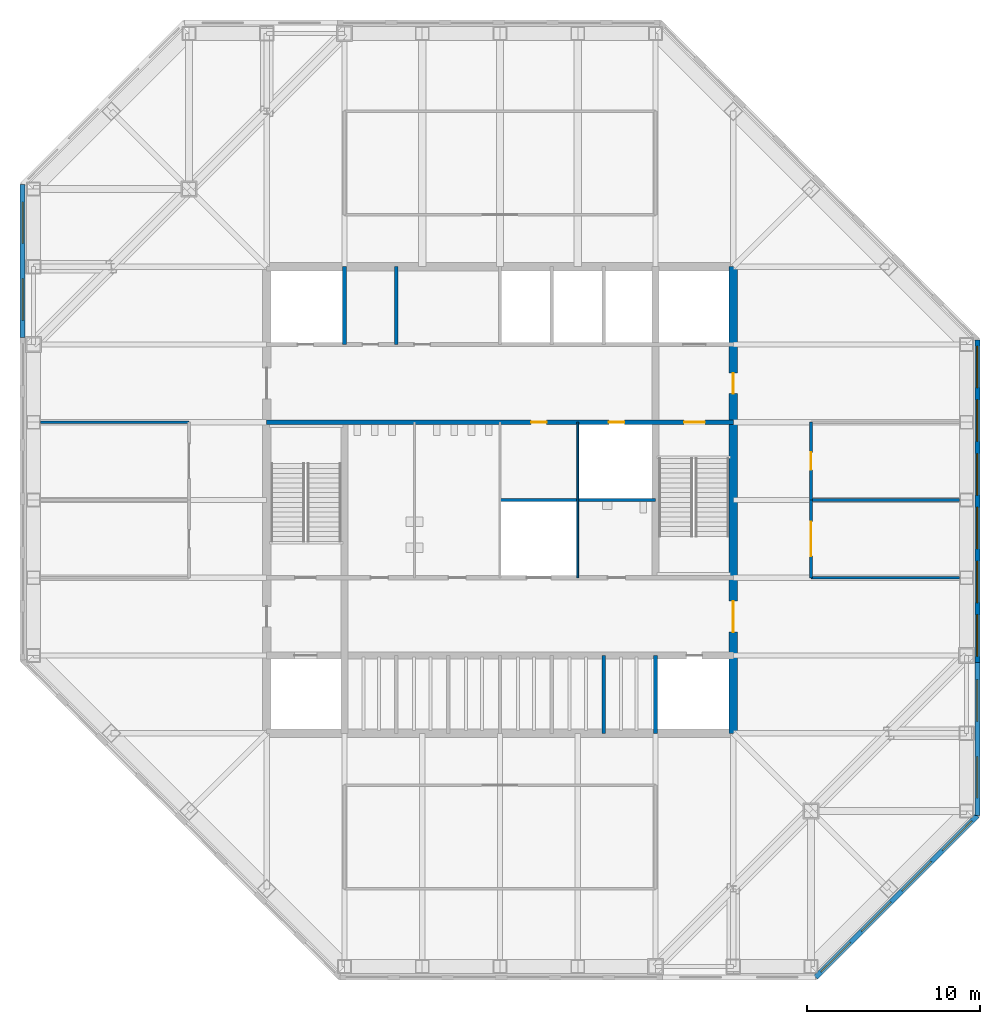
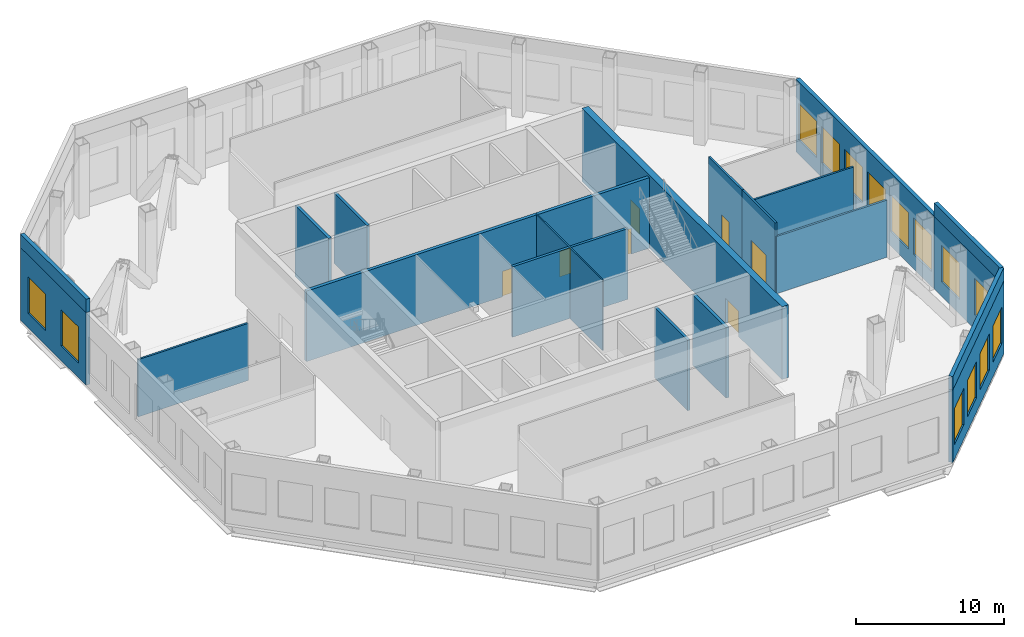
# One storey, part 6 of 10: 20 walls, 14 windows, 7 doors, 21 openings.
"""IFC4 building model written with IfcOpenShell, lengths in metres."""

import ifcopenshell
import ifcopenshell.guid

model = None  # the IFC model being written
_history = None  # IfcOwnerHistory: only IFC2X3 demands one
_inside = {}  # id of a spatial element -> (the spatial element, [elements in it])
_under = {}  # id of a project, library or spatial element -> (it, [spatial elements below it])
_declared = {}  # id of a project -> (the project, [libraries it declares])
_typed = {}  # id of a type object -> (the type object, [elements of that type])
_made_of = {}  # id of a material, layer set ... -> (it, [elements and type objects made of it])


def new_model(schema):
    """Start an empty IFC model of exactly this schema.

    Asked for "IFC4X3", IfcOpenShell would pick the latest addendum, in which some entities
    have other attributes; the version numbers below select the first issue.
    IFC2X3 requires an IfcOwnerHistory on every rooted entity: one is made here for all.
    """
    global model, _history
    if schema == "IFC4X3":
        model = ifcopenshell.file(schema_version=(4, 3, 0, 0))
    else:
        model = ifcopenshell.file(schema=schema)
    _inside.clear()
    _under.clear()
    _declared.clear()
    _typed.clear()
    _made_of.clear()
    _history = None
    if model.schema == "IFC2X3":
        org = make("IfcOrganization", Name="unknown")
        user = make(
            "IfcPersonAndOrganization",
            ThePerson=make("IfcPerson", FamilyName="unknown"),
            TheOrganization=org,
        )
        app = make(
            "IfcApplication",
            ApplicationDeveloper=org,
            Version="unknown",
            ApplicationFullName="unknown",
            ApplicationIdentifier="unknown",
        )
        _history = make(
            "IfcOwnerHistory",
            OwningUser=user,
            OwningApplication=app,
            ChangeAction="ADDED",
            CreationDate=0,
        )
    return model


def make(cls, **values):
    """One entity of the class cls with the attributes given. An attribute that is None is left unset."""
    return model.create_entity(
        cls, **{name: value for name, value in values.items() if value is not None}
    )


def rooted(cls, **values):
    """An entity with a GlobalId (a new one), such as an element, a storey or a relation."""
    return make(cls, GlobalId=ifcopenshell.guid.new(), OwnerHistory=_history, **values)


def si_unit(unit_type, name, prefix=None):
    """IfcSIUnit, for example si_unit("LENGTHUNIT", "METRE", prefix="MILLI")."""
    return make("IfcSIUnit", UnitType=unit_type, Prefix=prefix, Name=name)


def assignment(units):
    """IfcUnitAssignment: the units of a project."""
    return None if units is None else make("IfcUnitAssignment", Units=units)


def point(xyz):
    """IfcCartesianPoint."""
    return None if xyz is None else make("IfcCartesianPoint", Coordinates=xyz)


def direction(xyz):
    """IfcDirection."""
    return None if xyz is None else make("IfcDirection", DirectionRatios=xyz)


def frame(location, z_axis=None, x_axis=None):
    """IfcAxis2Placement3D, a coordinate frame: its origin and axes. An axis left out is left unset."""
    return make(
        "IfcAxis2Placement3D",
        Location=point(location),
        Axis=direction(z_axis),
        RefDirection=direction(x_axis),
    )


def frame_2d(location, x_axis=None):
    """IfcAxis2Placement2D, a coordinate frame in the plane: its origin and x axis."""
    return make(
        "IfcAxis2Placement2D", Location=point(location), RefDirection=direction(x_axis)
    )


def origin():
    """The frame at (0, 0, 0) with its axes left unset."""
    return frame((0.0, 0.0, 0.0))


def place(relative_to, where):
    """IfcLocalPlacement: puts the frame where relative to a parent placement (None: the world)."""
    return make(
        "IfcLocalPlacement", PlacementRelTo=relative_to, RelativePlacement=where
    )


def context(
    kind, dimensions, precision=None, world=None, true_north=None, identifier=None
):
    """IfcGeometricRepresentationContext, for example the 3D "Model" context."""
    return make(
        "IfcGeometricRepresentationContext",
        ContextIdentifier=identifier,
        ContextType=kind,
        CoordinateSpaceDimension=dimensions,
        Precision=precision,
        WorldCoordinateSystem=world,
        TrueNorth=true_north,
    )


def subcontext(parent, identifier, kind, view, scale=None):
    """IfcGeometricRepresentationSubContext, for example "Body" below "Model"."""
    return make(
        "IfcGeometricRepresentationSubContext",
        ContextIdentifier=identifier,
        ContextType=kind,
        ParentContext=parent,
        TargetScale=scale,
        TargetView=view,
    )


def project(units=None, contexts=None):
    """IfcProject with its units and contexts."""
    return rooted(
        "IfcProject",
        Name="project",
        RepresentationContexts=contexts,
        UnitsInContext=assignment(units),
    )


def spatial(cls, under=None, at=None, **own):
    """A site, building, storey or space (cls), placed at a placement, below another one or the project."""
    s = rooted(cls, ObjectPlacement=at, **own)
    if under is not None:
        _under.setdefault(under.id(), (under, []))[1].append(s)
    return s


def profile(cls, at=None, kind="AREA", **sizes):
    """A parametric profile (cls). Its sizes go by their IFC names, for example OverallWidth=200.0."""
    return make(cls, ProfileType=kind, Position=at, **sizes)


def rectangle(**sizes):
    """IfcRectangleProfileDef."""
    return profile("IfcRectangleProfileDef", **sizes)


def extrude(swept, where, along, depth):
    """IfcExtrudedAreaSolid: the profile swept, set in the frame where, extruded along a direction by depth."""
    return make(
        "IfcExtrudedAreaSolid",
        SweptArea=swept,
        Position=where,
        ExtrudedDirection=direction(along),
        Depth=depth,
    )


def shape(context_of_items, identifier, shape_type, items):
    """IfcShapeRepresentation: the items that make up one representation, for example the "Body"."""
    return make(
        "IfcShapeRepresentation",
        ContextOfItems=context_of_items,
        RepresentationIdentifier=identifier,
        RepresentationType=shape_type,
        Items=items,
    )


def material(Name=None, Category=None):
    """IfcMaterial."""
    return make("IfcMaterial", Name=Name, Category=Category)


def layer(
    of_material, thickness, ventilated=None, Name=None, Category=None, Priority=None
):
    """IfcMaterialLayer: one layer of a wall or slab, of a material (None: an air gap)."""
    return make(
        "IfcMaterialLayer",
        Material=of_material,
        LayerThickness=thickness,
        IsVentilated=ventilated,
        Name=Name,
        Category=Category,
        Priority=Priority,
    )


def layer_set(layers, Name=None):
    """IfcMaterialLayerSet."""
    return make("IfcMaterialLayerSet", MaterialLayers=layers, LayerSetName=Name)


def made_of(thing, what):
    """Note that an element or type object is made of a material, layer set ...; save() writes the relation."""
    if what is not None:
        _made_of.setdefault(what.id(), (what, []))[1].append(thing)
    return thing


def type_object(cls, material=None, **own):
    """A type object (cls), such as IfcWallType, which elements share."""
    return made_of(rooted(cls, **own), material)


def element(
    cls,
    number,
    at=None,
    inside=None,
    cuts=None,
    type_object=None,
    material=None,
    context=None,
    identifier="Body",
    shape_type=None,
    held_by="IfcProductDefinitionShape",
    body=None,
    shapes=None,
    **own,
):
    """One element of the class cls, such as IfcWall. Its Tag is "e" and its number.

    at: its placement. inside: the storey or other place that contains it. cuts: it is an
    opening in that element (IfcRelVoidsElement). A single representation is given by context,
    identifier, shape_type and body (its items); several are given by shapes. held_by: the class
    of the entity that holds the representations. save() writes the other relations.
    """
    e = rooted(cls, Tag="e%d" % number, ObjectPlacement=at, **own)
    if body is not None:
        shapes = [shape(context, identifier, shape_type, body)]
    if shapes is not None:
        e.Representation = make(held_by, Representations=shapes)
    if inside is not None:
        _inside.setdefault(inside.id(), (inside, []))[1].append(e)
    if cuts is not None:
        rooted(
            "IfcRelVoidsElement", RelatingBuildingElement=cuts, RelatedOpeningElement=e
        )
    if type_object is not None:
        _typed.setdefault(type_object.id(), (type_object, []))[1].append(e)
    return made_of(e, material)


def fill(opening, filler):
    """IfcRelFillsElement: the door or window that sits in an opening."""
    return rooted(
        "IfcRelFillsElement",
        RelatingOpeningElement=opening,
        RelatedBuildingElement=filler,
    )


def aggregate(whole, parts):
    """IfcRelAggregates: a whole, such as a stair, and the parts it consists of."""
    return rooted("IfcRelAggregates", RelatingObject=whole, RelatedObjects=parts)


def save(model, path):
    """Write the relations noted so far, then the file.

    IfcRelAggregates (storeys below a building ...), IfcRelContainedInSpatialStructure (elements
    in a storey), IfcRelDefinesByType, IfcRelAssociatesMaterial and IfcRelDeclares: one each for
    every whole, place, type object, material and project.
    """
    for whole, parts in _under.values():
        aggregate(whole, parts)
    for where, things in _inside.values():
        rooted(
            "IfcRelContainedInSpatialStructure",
            RelatedElements=things,
            RelatingStructure=where,
        )
    for kind, things in _typed.values():
        rooted("IfcRelDefinesByType", RelatedObjects=things, RelatingType=kind)
    for what, things in _made_of.values():
        rooted("IfcRelAssociatesMaterial", RelatedObjects=things, RelatingMaterial=what)
    for by, libraries in _declared.values():
        rooted("IfcRelDeclares", RelatingContext=by, RelatedDefinitions=libraries)
    model.write(path)


model = new_model("IFC4")

# Units and contexts
model_context = context("Model", 3, precision=1e-05, world=origin(), true_north=direction((0.0, 1.0)))
body_context = subcontext(model_context, "Body", "Model", "MODEL_VIEW")
ifc_project = project(units=[si_unit("LENGTHUNIT", "METRE"), si_unit("AREAUNIT", "SQUARE_METRE"), si_unit("VOLUMEUNIT", "CUBIC_METRE"), si_unit("PLANEANGLEUNIT", "RADIAN"), si_unit("MASSUNIT", "GRAM", prefix="KILO")], contexts=[model_context])

# Site, building, storey
site_placement = place(None, origin())
site = spatial("IfcSite", under=ifc_project, at=site_placement, CompositionType="ELEMENT")
building_placement = place(site_placement, origin())
building = spatial("IfcBuilding", under=site, at=building_placement, Name="Corais Broadcast Tower", CompositionType="ELEMENT")
storey_placement = place(building_placement, frame((0.0, 0.0, 199.60009765625)))
storey = spatial("IfcBuildingStorey", under=building, at=storey_placement, Name="L46", CompositionType="ELEMENT", Elevation=199.60009765625)

# Walls
ifc_material_1 = material(Name="Concrete blockwork class A, grouted, two-hour", Category="masonry")
ifc_layer_1 = layer(ifc_material_1, 0.25)
ifc_layer_set_1 = layer_set([ifc_layer_1], Name="Concrete blockwork class A, grouted, two-hour")
wall_type_1 = type_object("IfcWallType", Name="Core lobby wall 250", PredefinedType="SOLIDWALL", material=ifc_layer_set_1)
for number, where, z_axis, x_axis, name in (
    (1, (18.0, 36.0, 0.0), (0.0, 0.0, 1.0), (0.0, 1.0, 0.0), "CL2 core shaft wall X18B L46"),
    (2, (36.0, 13.5, 0.0), (0.0, 0.0, 1.0), (0.0, 1.0, 0.0), "CL2 core shaft wall X36A L46"),
):
    element("IfcWall", number, at=place(storey_placement, frame(where, z_axis=z_axis, x_axis=x_axis)), inside=storey, type_object=wall_type_1, Name=name, PredefinedType="SOLIDWALL", context=body_context, shape_type="SweptSolid", body=[
        extrude(rectangle(XDim=4.5, YDim=0.25, at=frame_2d((2.25, 0.0))), origin(), (0.0, 0.0, 1.0), 5.81982421875),
    ])

# Wall, openings, doors
wall_1_placement = place(storey_placement, frame((13.5, 31.5, 0.0), z_axis=(0.0, 0.0, 1.0), x_axis=(1.0, 0.0, 0.0)))
wall_1 = element("IfcWall", 3, at=wall_1_placement, inside=storey, type_object=wall_type_1, Name="CL2 core lobby wall Y315 L46", PredefinedType="SOLIDWALL", context=body_context, shape_type="SweptSolid", body=[
    extrude(rectangle(XDim=27.0, YDim=0.25, at=frame_2d((13.5, 0.0))), origin(), (0.0, 0.0, 1.0), 5.81982421875),
])
opening_1_placement = place(wall_1_placement, frame((24.14990234375, 0.0, 0.0)))
opening_1 = element("IfcOpeningElement", 4, at=opening_1_placement, cuts=wall_1, Name="Opening FD1", PredefinedType="OPENING", context=body_context, shape_type="SweptSolid", body=[
    extrude(rectangle(XDim=1.199951171875, YDim=2.10009765625, at=frame_2d((0.60009765625, 1.050048828125))), frame((0.0, 0.135009765625, 0.0), z_axis=(0.0, -1.0, 0.0), x_axis=(1.0, 0.0, 0.0)), (0.0, 0.0, 1.0), 0.27001953125),
])
opening_2_placement = place(wall_1_placement, frame((15.300048828125, 0.0, 0.0)))
opening_2 = element("IfcOpeningElement", 5, at=opening_2_placement, cuts=wall_1, Name="Opening RD1", PredefinedType="OPENING", context=body_context, shape_type="SweptSolid", body=[
    extrude(rectangle(XDim=0.89990234375, YDim=2.10009765625, at=frame_2d((0.449951171875, 1.050048828125))), frame((0.0, 0.135009765625, 0.0), z_axis=(0.0, -1.0, 0.0), x_axis=(1.0, 0.0, 0.0)), (0.0, 0.0, 1.0), 0.27001953125),
])
opening_3_placement = place(wall_1_placement, frame((19.800048828125, 0.0, 0.0)))
opening_3 = element("IfcOpeningElement", 6, at=opening_3_placement, cuts=wall_1, Name="Opening RD1", PredefinedType="OPENING", context=body_context, shape_type="SweptSolid", body=[
    extrude(rectangle(XDim=0.89990234375, YDim=2.10009765625, at=frame_2d((0.449951171875, 1.050048828125))), frame((0.0, 0.135009765625, 0.0), z_axis=(0.0, -1.0, 0.0), x_axis=(1.0, 0.0, 0.0)), (0.0, 0.0, 1.0), 0.27001953125),
])
ifc_material_2 = material(Name="Steel fire door", Category="steel")
door_type_1 = type_object("IfcDoorType", Name="Fire door 1200x2100", OperationType="SINGLE_SWING_LEFT", PredefinedType="DOOR", material=ifc_material_2)
door_1_placement = place(opening_1_placement, origin())
door_1 = element("IfcDoor", 7, at=door_1_placement, inside=storey, type_object=door_type_1, Name="FD1 stair B door L46", OperationType="SINGLE_SWING_RIGHT", OverallHeight=2.10009765625, OverallWidth=1.199951171875, PredefinedType="DOOR", context=body_context, shape_type="SweptSolid", body=[
    extrude(rectangle(XDim=1.199951171875, YDim=2.10009765625, at=frame_2d((0.60009765625, 1.050048828125))), frame((0.0, 0.02490234375, 0.0), z_axis=(0.0, -1.0, 0.0), x_axis=(1.0, 0.0, 0.0)), (0.0, 0.0, 1.0), 0.050048828125),
])
fill(opening_1, door_1)
ifc_material_3 = material(Name="Steel fire door", Category="steel")
door_type_2 = type_object("IfcDoorType", Name="Riser door 900x2100", OperationType="SINGLE_SWING_LEFT", PredefinedType="DOOR", material=ifc_material_3)
door_2_placement = place(opening_2_placement, origin())
door_2 = element("IfcDoor", 8, at=door_2_placement, inside=storey, type_object=door_type_2, Name="RD1 tea point door L46", OperationType="SINGLE_SWING_RIGHT", OverallHeight=2.10009765625, OverallWidth=0.89990234375, PredefinedType="DOOR", context=body_context, shape_type="SweptSolid", body=[
    extrude(rectangle(XDim=0.89990234375, YDim=2.10009765625, at=frame_2d((0.449951171875, 1.050048828125))), frame((0.0, 0.02490234375, 0.0), z_axis=(0.0, -1.0, 0.0), x_axis=(1.0, 0.0, 0.0)), (0.0, 0.0, 1.0), 0.050048828125),
])
fill(opening_2, door_2)
door_3_placement = place(opening_3_placement, origin())
door_3 = element("IfcDoor", 9, at=door_3_placement, inside=storey, type_object=door_type_2, Name="RD1 riser door L46", OperationType="SINGLE_SWING_RIGHT", OverallHeight=2.10009765625, OverallWidth=0.89990234375, PredefinedType="DOOR", context=body_context, shape_type="SweptSolid", body=[
    extrude(rectangle(XDim=0.89990234375, YDim=2.10009765625, at=frame_2d((0.449951171875, 1.050048828125))), frame((0.0, 0.02490234375, 0.0), z_axis=(0.0, -1.0, 0.0), x_axis=(1.0, 0.0, 0.0)), (0.0, 0.0, 1.0), 0.050048828125),
])
fill(opening_3, door_3)

ifc_material_4 = material(Name="Concrete C50/60", Category="concrete")
ifc_layer_2 = layer(ifc_material_4, 0.5)
ifc_layer_set_2 = layer_set([ifc_layer_2], Name="Concrete C50/60")
wall_type_2 = type_object("IfcWallType", Name="Core wall 500", PredefinedType="SHEAR", material=ifc_layer_set_2)
wall_2_placement = place(storey_placement, frame((40.5, 13.5, 0.0), z_axis=(0.0, 0.0, 1.0), x_axis=(0.0, 1.0, 0.0)))
wall_2 = element("IfcWall", 10, at=wall_2_placement, inside=storey, type_object=wall_type_2, Name="CR500 core wall E L46", PredefinedType="SHEAR", context=body_context, shape_type="SweptSolid", body=[
    extrude(rectangle(XDim=27.0, YDim=0.5, at=frame_2d((13.5, 0.0))), origin(), (0.0, 0.0, 1.0), 6.0),
])
opening_4_placement = place(wall_2_placement, frame((5.85009765625, 0.0, 0.0)))
opening_4 = element("IfcOpeningElement", 11, at=opening_4_placement, cuts=wall_2, Name="Opening FD2", PredefinedType="OPENING", context=body_context, shape_type="SweptSolid", body=[
    extrude(rectangle(XDim=1.800048828125, YDim=2.10009765625, at=frame_2d((0.89990234375, 1.050048828125))), frame((0.0, 0.260009765625, 0.0), z_axis=(0.0, -1.0, 0.0), x_axis=(1.0, 0.0, 0.0)), (0.0, 0.0, 1.0), 0.52001953125),
])
opening_5_placement = place(wall_2_placement, frame((19.64990234375, 0.0, 0.0)))
opening_5 = element("IfcOpeningElement", 12, at=opening_5_placement, cuts=wall_2, Name="Opening FD1", PredefinedType="OPENING", context=body_context, shape_type="SweptSolid", body=[
    extrude(rectangle(XDim=1.199951171875, YDim=2.10009765625, at=frame_2d((0.60009765625, 1.050048828125))), frame((0.0, 0.260009765625, 0.0), z_axis=(0.0, -1.0, 0.0), x_axis=(1.0, 0.0, 0.0)), (0.0, 0.0, 1.0), 0.52001953125),
])
door_4_placement = place(opening_5_placement, origin())
door_4 = element("IfcDoor", 13, at=door_4_placement, inside=storey, type_object=door_type_1, Name="FD1 fire lobby B door L46", OperationType="SINGLE_SWING_RIGHT", OverallHeight=2.10009765625, OverallWidth=1.199951171875, PredefinedType="DOOR", context=body_context, shape_type="SweptSolid", body=[
    extrude(rectangle(XDim=1.199951171875, YDim=2.10009765625, at=frame_2d((0.60009765625, 1.050048828125))), frame((0.0, 0.02490234375, 0.0), z_axis=(0.0, -1.0, 0.0), x_axis=(1.0, 0.0, 0.0)), (0.0, 0.0, 1.0), 0.050048828125),
])
fill(opening_5, door_4)
ifc_material_5 = material(Name="Steel fire door", Category="steel")
door_type_3 = type_object("IfcDoorType", Name="Fire door pair 1800x2100", OperationType="DOUBLE_DOOR_SINGLE_SWING", PredefinedType="DOOR", material=ifc_material_5)
door_5_placement = place(opening_4_placement, origin())
door_5 = element("IfcDoor", 14, at=door_5_placement, inside=storey, type_object=door_type_3, Name="FD2 lift lobby door L46", OperationType="SINGLE_SWING_LEFT", OverallHeight=2.10009765625, OverallWidth=1.800048828125, PredefinedType="DOOR", context=body_context, shape_type="SweptSolid", body=[
    extrude(rectangle(XDim=1.800048828125, YDim=2.10009765625, at=frame_2d((0.89990234375, 1.050048828125))), frame((0.0, 0.02490234375, 0.0), z_axis=(0.0, -1.0, 0.0), x_axis=(1.0, 0.0, 0.0)), (0.0, 0.0, 1.0), 0.050048828125),
])
fill(opening_4, door_5)

# Walls
ifc_material_6 = material(Name="Two layers of fire-rated gypsum board each side on steel studs", Category="steel")
ifc_layer_3 = layer(ifc_material_6, 0.14990234375)
ifc_layer_set_3 = layer_set([ifc_layer_3], Name="Two layers of fire-rated gypsum board each side on steel studs")
wall_type_3 = type_object("IfcWallType", Name="Fire-rated partition 150 EI 60", PredefinedType="PARTITIONING", material=ifc_layer_set_3)
for number, where, z_axis, x_axis, name in (
    (15, (9.0, 31.5, 0.0), (0.0, 0.0, 1.0), (-1.0, 0.0, 0.0), "IW7 partition L46"),
    (16, (45.0, 22.5, 0.0), (0.0, 0.0, 1.0), (1.0, 0.0, 0.0), "IW7 partition L46"),
    (17, (53.590087890625, 27.0, 0.0), (0.0, 0.0, 1.0), (-1.0, 0.0, 0.0), "IW7 partition L46"),
):
    element("IfcWall", number, at=place(storey_placement, frame(where, z_axis=z_axis, x_axis=x_axis)), inside=storey, type_object=wall_type_3, Name=name, PredefinedType="PARTITIONING", context=body_context, shape_type="SweptSolid", body=[
        extrude(rectangle(XDim=8.590087890625, YDim=0.14990234375, at=frame_2d((4.294921875, 0.0))), origin(), (0.0, 0.0, 1.0), 4.719970703125),
    ])

# Wall, opening, door
wall_3_placement = place(storey_placement, frame((45.0, 27.0, 0.0), z_axis=(0.0, 0.0, 1.0), x_axis=(0.0, -1.0, 0.0)))
wall_3 = element("IfcWall", 18, at=wall_3_placement, inside=storey, type_object=wall_type_3, Name="IW7 partition L46", PredefinedType="PARTITIONING", context=body_context, shape_type="SweptSolid", body=[
    extrude(rectangle(XDim=4.5, YDim=0.14990234375, at=frame_2d((2.25, 0.0))), origin(), (0.0, 0.0, 1.0), 5.81982421875),
])
opening_6_placement = place(wall_3_placement, frame((1.25, 0.0, 0.0)))
opening_6 = element("IfcOpeningElement", 19, at=opening_6_placement, cuts=wall_3, Name="Opening D4", PredefinedType="OPENING", context=body_context, shape_type="SweptSolid", body=[
    extrude(rectangle(XDim=2.0, YDim=2.39990234375, at=frame_2d((1.0, 1.199951171875))), frame((0.0, 0.0849609375, 0.0), z_axis=(0.0, -1.0, 0.0), x_axis=(1.0, 0.0, 0.0)), (0.0, 0.0, 1.0), 0.169921875),
])
ifc_material_7 = material(Name="Steel door", Category="steel")
door_type_4 = type_object("IfcDoorType", Name="Plant room door pair 2000x2400", OperationType="DOUBLE_DOOR_SINGLE_SWING", PredefinedType="DOOR", material=ifc_material_7)
door_6_placement = place(opening_6_placement, origin())
door_6 = element("IfcDoor", 20, at=door_6_placement, inside=storey, type_object=door_type_4, Name="D4 Sprinkler pump plant room door", OperationType="SINGLE_SWING_LEFT", OverallHeight=2.39990234375, OverallWidth=2.0, PredefinedType="DOOR", context=body_context, shape_type="SweptSolid", body=[
    extrude(rectangle(XDim=2.0, YDim=2.39990234375, at=frame_2d((1.0, 1.199951171875))), frame((0.0, 0.02490234375, 0.0), z_axis=(0.0, -1.0, 0.0), x_axis=(1.0, 0.0, 0.0)), (0.0, 0.0, 1.0), 0.050048828125),
])
fill(opening_6, door_6)

# Walls
ifc_material_8 = material(Name="Precast concrete C40/50", Category="concrete")
ifc_layer_4 = layer(ifc_material_8, 0.300048828125)
ifc_layer_set_4 = layer_set([ifc_layer_4], Name="Precast concrete C40/50")
wall_type_4 = type_object("IfcWallType", Name="Parapet wall 300", PredefinedType="PARAPET", material=ifc_layer_set_4)
for number, where, z_axis, x_axis, name in (
    (21, (-0.6298828125, 36.40234375, 6.0), (0.0, 0.0, 1.0), (0.0, 1.0, 0.0), "PW1 parapet L46"),
    (22, (54.6298828125, 17.59765625, 6.0), (0.0, 0.0, 1.0), (0.0, -1.0, 0.0), "PW1 parapet L46"),
):
    element("IfcWall", number, at=place(storey_placement, frame(where, z_axis=z_axis, x_axis=x_axis)), inside=storey, type_object=wall_type_4, Name=name, PredefinedType="PARAPET", context=body_context, shape_type="SweptSolid", body=[
        extrude(rectangle(XDim=8.858642578125, YDim=0.300048828125, at=frame_2d((4.42919921875, 0.0))), origin(), (0.0, 0.0, 1.0), 1.099853515625),
    ])
wall_4_placement = place(storey_placement, frame((54.6298828125, 8.739013671875, 6.0), z_axis=(0.0, 0.0, 1.0), x_axis=(-0.707106781187, -0.707106781187, 0.0)))
element("IfcWall", 23, at=wall_4_placement, inside=storey, type_object=wall_type_4, Name="PW1 parapet L46", PredefinedType="PARAPET", context=body_context, shape_type="SweptSolid", body=[
    extrude(rectangle(XDim=13.24951171875, YDim=0.300048828125, at=frame_2d((6.624755859375, 0.0))), origin(), (0.0, 0.0, 1.0), 1.099853515625),
])

# Wall, opening, door
ifc_material_9 = material(Name="Gypsum board on steel studs", Category="steel")
ifc_layer_5 = layer(ifc_material_9, 0.14990234375)
ifc_layer_set_5 = layer_set([ifc_layer_5], Name="Gypsum board on steel studs")
wall_type_5 = type_object("IfcWallType", Name="Partition 150", PredefinedType="PARTITIONING", material=ifc_layer_set_5)
wall_5_placement = place(storey_placement, frame((45.0, 31.5, 0.0), z_axis=(0.0, 0.0, 1.0), x_axis=(0.0, -1.0, 0.0)))
wall_5 = element("IfcWall", 24, at=wall_5_placement, inside=storey, type_object=wall_type_5, Name="IW3 partition L46", PredefinedType="PARTITIONING", context=body_context, shape_type="SweptSolid", body=[
    extrude(rectangle(XDim=4.5, YDim=0.14990234375, at=frame_2d((2.25, 0.0))), origin(), (0.0, 0.0, 1.0), 5.81982421875),
])
opening_7_placement = place(wall_5_placement, frame((1.75, 0.0, 0.0)))
opening_7 = element("IfcOpeningElement", 25, at=opening_7_placement, cuts=wall_5, Name="Opening D1", PredefinedType="OPENING", context=body_context, shape_type="SweptSolid", body=[
    extrude(rectangle(XDim=1.0, YDim=2.10009765625, at=frame_2d((0.5, 1.050048828125))), frame((0.0, 0.0849609375, 0.0), z_axis=(0.0, -1.0, 0.0), x_axis=(1.0, 0.0, 0.0)), (0.0, 0.0, 1.0), 0.169921875),
])
ifc_material_10 = material(Name="Timber door", Category="wood")
door_type_5 = type_object("IfcDoorType", Name="Single door 1000x2100", OperationType="SINGLE_SWING_LEFT", PredefinedType="DOOR", material=ifc_material_10)
door_7_placement = place(opening_7_placement, origin())
door_7 = element("IfcDoor", 26, at=door_7_placement, inside=storey, type_object=door_type_5, Name="D1 Refuge area east door", OperationType="SINGLE_SWING_LEFT", OverallHeight=2.10009765625, OverallWidth=1.0, PredefinedType="DOOR", context=body_context, shape_type="SweptSolid", body=[
    extrude(rectangle(XDim=1.0, YDim=2.10009765625, at=frame_2d((0.5, 1.050048828125))), frame((0.0, 0.02490234375, 0.0), z_axis=(0.0, -1.0, 0.0), x_axis=(1.0, 0.0, 0.0)), (0.0, 0.0, 1.0), 0.050048828125),
])
fill(opening_7, door_7)

# Walls
ifc_material_11 = material(Name="Concrete blockwork class A, grouted, two-hour", Category="masonry")
ifc_layer_6 = layer(ifc_material_11, 0.199951171875)
ifc_layer_set_6 = layer_set([ifc_layer_6], Name="Concrete blockwork class A, grouted, two-hour")
wall_type_6 = type_object("IfcWallType", Name="Shaft wall 200", PredefinedType="PARTITIONING", material=ifc_layer_set_6)
for number, where, z_axis, x_axis, name in (
    (27, (21.0, 36.0, 0.0), (0.0, 0.0, 1.0), (0.0, 1.0, 0.0), "IW1 shaft wall L46"),
    (28, (33.0, 13.5, 0.0), (0.0, 0.0, 1.0), (0.0, 1.0, 0.0), "IW1 shaft wall L46"),
):
    element("IfcWall", number, at=place(storey_placement, frame(where, z_axis=z_axis, x_axis=x_axis)), inside=storey, type_object=wall_type_6, Name=name, PredefinedType="PARTITIONING", context=body_context, shape_type="SweptSolid", body=[
        extrude(rectangle(XDim=4.5, YDim=0.199951171875, at=frame_2d((2.25, 0.0))), origin(), (0.0, 0.0, 1.0), 5.81982421875),
    ])
wall_6_placement = place(storey_placement, frame((27.0, 27.0, 0.0), z_axis=(0.0, 0.0, 1.0), x_axis=(1.0, 0.0, 0.0)))
element("IfcWall", 29, at=wall_6_placement, inside=storey, type_object=wall_type_6, Name="IW1 shaft wall L46", PredefinedType="PARTITIONING", context=body_context, shape_type="SweptSolid", body=[
    extrude(rectangle(XDim=9.0, YDim=0.199951171875, at=frame_2d((4.5, 0.0))), origin(), (0.0, 0.0, 1.0), 5.81982421875),
])

# Wall, openings, windows
ifc_material_12 = material(Name="Precast concrete C40/50", Category="concrete")
ifc_layer_7 = layer(ifc_material_12, 0.300048828125)
ifc_layer_set_7 = layer_set([ifc_layer_7], Name="Precast concrete C40/50")
wall_type_7 = type_object("IfcWallType", Name="Stone-faced precast wall 300", PredefinedType="SOLIDWALL", material=ifc_layer_set_7)
wall_7_placement = place(storey_placement, frame((-0.6298828125, 36.40234375, 0.0), z_axis=(0.0, 0.0, 1.0), x_axis=(0.0, 1.0, 0.0)))
wall_7 = element("IfcWall", 30, at=wall_7_placement, inside=storey, type_object=wall_type_7, Name="EW1 external wall L46 2", PredefinedType="SOLIDWALL", context=body_context, shape_type="SweptSolid", body=[
    extrude(rectangle(XDim=8.858642578125, YDim=0.300048828125, at=frame_2d((4.42919921875, 0.0))), origin(), (0.0, 0.0, 1.0), 6.0),
])
opening_8_placement = place(wall_7_placement, frame((1.0146484375, 0.0, 1.199951171875)))
opening_8 = element("IfcOpeningElement", 31, at=opening_8_placement, cuts=wall_7, Name="Opening LV1", PredefinedType="OPENING", context=body_context, shape_type="SweptSolid", body=[
    extrude(rectangle(XDim=2.39990234375, YDim=3.0, at=frame_2d((1.199951171875, 1.5))), frame((0.0, 0.159912109375, 0.0), z_axis=(0.0, -1.0, 0.0), x_axis=(1.0, 0.0, 0.0)), (0.0, 0.0, 1.0), 0.320068359375),
])
opening_9_placement = place(wall_7_placement, frame((5.44384765625, 0.0, 1.199951171875)))
opening_9 = element("IfcOpeningElement", 32, at=opening_9_placement, cuts=wall_7, Name="Opening LV1", PredefinedType="OPENING", context=body_context, shape_type="SweptSolid", body=[
    extrude(rectangle(XDim=2.39990234375, YDim=3.0, at=frame_2d((1.199951171875, 1.5))), frame((0.0, 0.159912109375, 0.0), z_axis=(0.0, -1.0, 0.0), x_axis=(1.0, 0.0, 0.0)), (0.0, 0.0, 1.0), 0.320068359375),
])
ifc_material_13 = material(Name="Aluminium frame", Category="aluminium")
window_type = type_object("IfcWindowType", Name="Plant louvre 2400x3000", PartitioningType="SINGLE_PANEL", PredefinedType="USERDEFINED", material=ifc_material_13)
window_1_placement = place(opening_8_placement, origin())
window_1 = element("IfcWindow", 33, at=window_1_placement, inside=storey, type_object=window_type, Name="LV1 window L46", ObjectType="LOUVRE", OverallHeight=3.0, OverallWidth=2.39990234375, PartitioningType="SINGLE_PANEL", PredefinedType="USERDEFINED", context=body_context, shape_type="SweptSolid", body=[
    extrude(rectangle(XDim=2.39990234375, YDim=3.0, at=frame_2d((1.199951171875, 1.5))), frame((0.0, 0.030029296875, 0.0), z_axis=(0.0, -1.0, 0.0), x_axis=(1.0, 0.0, 0.0)), (0.0, 0.0, 1.0), 0.06005859375),
])
fill(opening_8, window_1)
window_2_placement = place(opening_9_placement, origin())
window_2 = element("IfcWindow", 34, at=window_2_placement, inside=storey, type_object=window_type, Name="LV1 window L46", ObjectType="LOUVRE", OverallHeight=3.0, OverallWidth=2.39990234375, PartitioningType="SINGLE_PANEL", PredefinedType="USERDEFINED", context=body_context, shape_type="SweptSolid", body=[
    extrude(rectangle(XDim=2.39990234375, YDim=3.0, at=frame_2d((1.199951171875, 1.5))), frame((0.0, 0.030029296875, 0.0), z_axis=(0.0, -1.0, 0.0), x_axis=(1.0, 0.0, 0.0)), (0.0, 0.0, 1.0), 0.06005859375),
])
fill(opening_9, window_2)

wall_8_placement = place(storey_placement, frame((54.6298828125, 36.260986328125, 0.0), z_axis=(0.0, 0.0, 1.0), x_axis=(0.0, -1.0, 0.0)))
wall_8 = element("IfcWall", 35, at=wall_8_placement, inside=storey, type_object=wall_type_7, Name="EW1 external wall L46 6", PredefinedType="SOLIDWALL", context=body_context, shape_type="SweptSolid", body=[
    extrude(rectangle(XDim=18.663330078125, YDim=0.300048828125, at=frame_2d((9.33154296875, 0.0))), origin(), (0.0, 0.0, 1.0), 6.0),
])
opening_10_placement = place(wall_8_placement, frame((0.355224609375, 0.0, 1.199951171875)))
opening_10 = element("IfcOpeningElement", 36, at=opening_10_placement, cuts=wall_8, Name="Opening LV1", PredefinedType="OPENING", context=body_context, shape_type="SweptSolid", body=[
    extrude(rectangle(XDim=2.39990234375, YDim=3.0, at=frame_2d((1.199951171875, 1.5))), frame((0.0, 0.159912109375, 0.0), z_axis=(0.0, -1.0, 0.0), x_axis=(1.0, 0.0, 0.0)), (0.0, 0.0, 1.0), 0.320068359375),
])
opening_11_placement = place(wall_8_placement, frame((3.4658203125, 0.0, 1.199951171875)))
opening_11 = element("IfcOpeningElement", 37, at=opening_11_placement, cuts=wall_8, Name="Opening LV1", PredefinedType="OPENING", context=body_context, shape_type="SweptSolid", body=[
    extrude(rectangle(XDim=2.39990234375, YDim=3.0, at=frame_2d((1.199951171875, 1.5))), frame((0.0, 0.159912109375, 0.0), z_axis=(0.0, -1.0, 0.0), x_axis=(1.0, 0.0, 0.0)), (0.0, 0.0, 1.0), 0.320068359375),
])
opening_12_placement = place(wall_8_placement, frame((6.576416015625, 0.0, 1.199951171875)))
opening_12 = element("IfcOpeningElement", 38, at=opening_12_placement, cuts=wall_8, Name="Opening LV1", PredefinedType="OPENING", context=body_context, shape_type="SweptSolid", body=[
    extrude(rectangle(XDim=2.39990234375, YDim=3.0, at=frame_2d((1.199951171875, 1.5))), frame((0.0, 0.159912109375, 0.0), z_axis=(0.0, -1.0, 0.0), x_axis=(1.0, 0.0, 0.0)), (0.0, 0.0, 1.0), 0.320068359375),
])
opening_13_placement = place(wall_8_placement, frame((9.68701171875, 0.0, 1.199951171875)))
opening_13 = element("IfcOpeningElement", 39, at=opening_13_placement, cuts=wall_8, Name="Opening LV1", PredefinedType="OPENING", context=body_context, shape_type="SweptSolid", body=[
    extrude(rectangle(XDim=2.39990234375, YDim=3.0, at=frame_2d((1.199951171875, 1.5))), frame((0.0, 0.159912109375, 0.0), z_axis=(0.0, -1.0, 0.0), x_axis=(1.0, 0.0, 0.0)), (0.0, 0.0, 1.0), 0.320068359375),
])
opening_14_placement = place(wall_8_placement, frame((12.797607421875, 0.0, 1.199951171875)))
opening_14 = element("IfcOpeningElement", 40, at=opening_14_placement, cuts=wall_8, Name="Opening LV1", PredefinedType="OPENING", context=body_context, shape_type="SweptSolid", body=[
    extrude(rectangle(XDim=2.39990234375, YDim=3.0, at=frame_2d((1.199951171875, 1.5))), frame((0.0, 0.159912109375, 0.0), z_axis=(0.0, -1.0, 0.0), x_axis=(1.0, 0.0, 0.0)), (0.0, 0.0, 1.0), 0.320068359375),
])
opening_15_placement = place(wall_8_placement, frame((15.908203125, 0.0, 1.199951171875)))
opening_15 = element("IfcOpeningElement", 41, at=opening_15_placement, cuts=wall_8, Name="Opening LV1", PredefinedType="OPENING", context=body_context, shape_type="SweptSolid", body=[
    extrude(rectangle(XDim=2.39990234375, YDim=3.0, at=frame_2d((1.199951171875, 1.5))), frame((0.0, 0.159912109375, 0.0), z_axis=(0.0, -1.0, 0.0), x_axis=(1.0, 0.0, 0.0)), (0.0, 0.0, 1.0), 0.320068359375),
])
window_3_placement = place(opening_10_placement, origin())
window_3 = element("IfcWindow", 42, at=window_3_placement, inside=storey, type_object=window_type, Name="LV1 window L46", ObjectType="LOUVRE", OverallHeight=3.0, OverallWidth=2.39990234375, PartitioningType="SINGLE_PANEL", PredefinedType="USERDEFINED", context=body_context, shape_type="SweptSolid", body=[
    extrude(rectangle(XDim=2.39990234375, YDim=3.0, at=frame_2d((1.199951171875, 1.5))), frame((0.0, 0.030029296875, 0.0), z_axis=(0.0, -1.0, 0.0), x_axis=(1.0, 0.0, 0.0)), (0.0, 0.0, 1.0), 0.06005859375),
])
fill(opening_10, window_3)
window_4_placement = place(opening_11_placement, origin())
window_4 = element("IfcWindow", 43, at=window_4_placement, inside=storey, type_object=window_type, Name="LV1 window L46", ObjectType="LOUVRE", OverallHeight=3.0, OverallWidth=2.39990234375, PartitioningType="SINGLE_PANEL", PredefinedType="USERDEFINED", context=body_context, shape_type="SweptSolid", body=[
    extrude(rectangle(XDim=2.39990234375, YDim=3.0, at=frame_2d((1.199951171875, 1.5))), frame((0.0, 0.030029296875, 0.0), z_axis=(0.0, -1.0, 0.0), x_axis=(1.0, 0.0, 0.0)), (0.0, 0.0, 1.0), 0.06005859375),
])
fill(opening_11, window_4)
window_5_placement = place(opening_12_placement, origin())
window_5 = element("IfcWindow", 44, at=window_5_placement, inside=storey, type_object=window_type, Name="LV1 window L46", ObjectType="LOUVRE", OverallHeight=3.0, OverallWidth=2.39990234375, PartitioningType="SINGLE_PANEL", PredefinedType="USERDEFINED", context=body_context, shape_type="SweptSolid", body=[
    extrude(rectangle(XDim=2.39990234375, YDim=3.0, at=frame_2d((1.199951171875, 1.5))), frame((0.0, 0.030029296875, 0.0), z_axis=(0.0, -1.0, 0.0), x_axis=(1.0, 0.0, 0.0)), (0.0, 0.0, 1.0), 0.06005859375),
])
fill(opening_12, window_5)
window_6_placement = place(opening_13_placement, origin())
window_6 = element("IfcWindow", 45, at=window_6_placement, inside=storey, type_object=window_type, Name="LV1 window L46", ObjectType="LOUVRE", OverallHeight=3.0, OverallWidth=2.39990234375, PartitioningType="SINGLE_PANEL", PredefinedType="USERDEFINED", context=body_context, shape_type="SweptSolid", body=[
    extrude(rectangle(XDim=2.39990234375, YDim=3.0, at=frame_2d((1.199951171875, 1.5))), frame((0.0, 0.030029296875, 0.0), z_axis=(0.0, -1.0, 0.0), x_axis=(1.0, 0.0, 0.0)), (0.0, 0.0, 1.0), 0.06005859375),
])
fill(opening_13, window_6)
window_7_placement = place(opening_14_placement, origin())
window_7 = element("IfcWindow", 46, at=window_7_placement, inside=storey, type_object=window_type, Name="LV1 window L46", ObjectType="LOUVRE", OverallHeight=3.0, OverallWidth=2.39990234375, PartitioningType="SINGLE_PANEL", PredefinedType="USERDEFINED", context=body_context, shape_type="SweptSolid", body=[
    extrude(rectangle(XDim=2.39990234375, YDim=3.0, at=frame_2d((1.199951171875, 1.5))), frame((0.0, 0.030029296875, 0.0), z_axis=(0.0, -1.0, 0.0), x_axis=(1.0, 0.0, 0.0)), (0.0, 0.0, 1.0), 0.06005859375),
])
fill(opening_14, window_7)
window_8_placement = place(opening_15_placement, origin())
window_8 = element("IfcWindow", 47, at=window_8_placement, inside=storey, type_object=window_type, Name="LV1 window L46", ObjectType="LOUVRE", OverallHeight=3.0, OverallWidth=2.39990234375, PartitioningType="SINGLE_PANEL", PredefinedType="USERDEFINED", context=body_context, shape_type="SweptSolid", body=[
    extrude(rectangle(XDim=2.39990234375, YDim=3.0, at=frame_2d((1.199951171875, 1.5))), frame((0.0, 0.030029296875, 0.0), z_axis=(0.0, -1.0, 0.0), x_axis=(1.0, 0.0, 0.0)), (0.0, 0.0, 1.0), 0.06005859375),
])
fill(opening_15, window_8)

wall_9_placement = place(storey_placement, frame((54.6298828125, 17.59765625, 0.0), z_axis=(0.0, 0.0, 1.0), x_axis=(0.0, -1.0, 0.0)))
wall_9 = element("IfcWall", 48, at=wall_9_placement, inside=storey, type_object=wall_type_7, Name="EW1 external wall L46 6", PredefinedType="SOLIDWALL", context=body_context, shape_type="SweptSolid", body=[
    extrude(rectangle(XDim=8.858642578125, YDim=0.300048828125, at=frame_2d((4.42919921875, 0.0))), origin(), (0.0, 0.0, 1.0), 6.0),
])
opening_16_placement = place(wall_9_placement, frame((1.0146484375, 0.0, 1.199951171875)))
opening_16 = element("IfcOpeningElement", 49, at=opening_16_placement, cuts=wall_9, Name="Opening LV1", PredefinedType="OPENING", context=body_context, shape_type="SweptSolid", body=[
    extrude(rectangle(XDim=2.39990234375, YDim=3.0, at=frame_2d((1.199951171875, 1.5))), frame((0.0, 0.159912109375, 0.0), z_axis=(0.0, -1.0, 0.0), x_axis=(1.0, 0.0, 0.0)), (0.0, 0.0, 1.0), 0.320068359375),
])
opening_17_placement = place(wall_9_placement, frame((5.44384765625, 0.0, 1.199951171875)))
opening_17 = element("IfcOpeningElement", 50, at=opening_17_placement, cuts=wall_9, Name="Opening LV1", PredefinedType="OPENING", context=body_context, shape_type="SweptSolid", body=[
    extrude(rectangle(XDim=2.39990234375, YDim=3.0, at=frame_2d((1.199951171875, 1.5))), frame((0.0, 0.159912109375, 0.0), z_axis=(0.0, -1.0, 0.0), x_axis=(1.0, 0.0, 0.0)), (0.0, 0.0, 1.0), 0.320068359375),
])
window_9_placement = place(opening_16_placement, origin())
window_9 = element("IfcWindow", 51, at=window_9_placement, inside=storey, type_object=window_type, Name="LV1 window L46", ObjectType="LOUVRE", OverallHeight=3.0, OverallWidth=2.39990234375, PartitioningType="SINGLE_PANEL", PredefinedType="USERDEFINED", context=body_context, shape_type="SweptSolid", body=[
    extrude(rectangle(XDim=2.39990234375, YDim=3.0, at=frame_2d((1.199951171875, 1.5))), frame((0.0, 0.030029296875, 0.0), z_axis=(0.0, -1.0, 0.0), x_axis=(1.0, 0.0, 0.0)), (0.0, 0.0, 1.0), 0.06005859375),
])
fill(opening_16, window_9)
window_10_placement = place(opening_17_placement, origin())
window_10 = element("IfcWindow", 52, at=window_10_placement, inside=storey, type_object=window_type, Name="LV1 window L46", ObjectType="LOUVRE", OverallHeight=3.0, OverallWidth=2.39990234375, PartitioningType="SINGLE_PANEL", PredefinedType="USERDEFINED", context=body_context, shape_type="SweptSolid", body=[
    extrude(rectangle(XDim=2.39990234375, YDim=3.0, at=frame_2d((1.199951171875, 1.5))), frame((0.0, 0.030029296875, 0.0), z_axis=(0.0, -1.0, 0.0), x_axis=(1.0, 0.0, 0.0)), (0.0, 0.0, 1.0), 0.06005859375),
])
fill(opening_17, window_10)

wall_10_placement = place(storey_placement, frame((54.6298828125, 8.739013671875, 0.0), z_axis=(0.0, 0.0, 1.0), x_axis=(-0.707106781187, -0.707106781187, 0.0)))
wall_10 = element("IfcWall", 53, at=wall_10_placement, inside=storey, type_object=wall_type_7, Name="EW1 external wall L46 7", PredefinedType="SOLIDWALL", context=body_context, shape_type="SweptSolid", body=[
    extrude(rectangle(XDim=13.24951171875, YDim=0.300048828125, at=frame_2d((6.624755859375, 0.0))), origin(), (0.0, 0.0, 1.0), 6.0),
])
opening_18_placement = place(wall_10_placement, frame((0.456298828125, 0.0, 1.199951171875)))
opening_18 = element("IfcOpeningElement", 54, at=opening_18_placement, cuts=wall_10, Name="Opening LV1", PredefinedType="OPENING", context=body_context, shape_type="SweptSolid", body=[
    extrude(rectangle(XDim=2.39990234375, YDim=3.0, at=frame_2d((1.199951171875, 1.5))), frame((0.0, 0.159912109375, 0.0), z_axis=(0.0, -1.0, 0.0), x_axis=(1.0, 0.0, 0.0)), (0.0, 0.0, 1.0), 0.320068359375),
])
opening_19_placement = place(wall_10_placement, frame((3.7685546875, 0.0, 1.199951171875)))
opening_19 = element("IfcOpeningElement", 55, at=opening_19_placement, cuts=wall_10, Name="Opening LV1", PredefinedType="OPENING", context=body_context, shape_type="SweptSolid", body=[
    extrude(rectangle(XDim=2.39990234375, YDim=3.0, at=frame_2d((1.199951171875, 1.5))), frame((0.0, 0.159912109375, 0.0), z_axis=(0.0, -1.0, 0.0), x_axis=(1.0, 0.0, 0.0)), (0.0, 0.0, 1.0), 0.320068359375),
])
opening_20_placement = place(wall_10_placement, frame((7.0810546875, 0.0, 1.199951171875)))
opening_20 = element("IfcOpeningElement", 56, at=opening_20_placement, cuts=wall_10, Name="Opening LV1", PredefinedType="OPENING", context=body_context, shape_type="SweptSolid", body=[
    extrude(rectangle(XDim=2.39990234375, YDim=3.0, at=frame_2d((1.199951171875, 1.5))), frame((0.0, 0.159912109375, 0.0), z_axis=(0.0, -1.0, 0.0), x_axis=(1.0, 0.0, 0.0)), (0.0, 0.0, 1.0), 0.320068359375),
])
opening_21_placement = place(wall_10_placement, frame((10.3935546875, 0.0, 1.199951171875)))
opening_21 = element("IfcOpeningElement", 57, at=opening_21_placement, cuts=wall_10, Name="Opening LV1", PredefinedType="OPENING", context=body_context, shape_type="SweptSolid", body=[
    extrude(rectangle(XDim=2.39990234375, YDim=3.0, at=frame_2d((1.199951171875, 1.5))), frame((0.0, 0.159912109375, 0.0), z_axis=(0.0, -1.0, 0.0), x_axis=(1.0, 0.0, 0.0)), (0.0, 0.0, 1.0), 0.320068359375),
])
window_11_placement = place(opening_18_placement, origin())
window_11 = element("IfcWindow", 58, at=window_11_placement, inside=storey, type_object=window_type, Name="LV1 window L46", ObjectType="LOUVRE", OverallHeight=3.0, OverallWidth=2.39990234375, PartitioningType="SINGLE_PANEL", PredefinedType="USERDEFINED", context=body_context, shape_type="SweptSolid", body=[
    extrude(rectangle(XDim=2.39990234375, YDim=3.0, at=frame_2d((1.199951171875, 1.5))), frame((0.0, 0.030029296875, 0.0), z_axis=(0.0, -1.0, 0.0), x_axis=(1.0, 0.0, 0.0)), (0.0, 0.0, 1.0), 0.06005859375),
])
fill(opening_18, window_11)
window_12_placement = place(opening_19_placement, origin())
window_12 = element("IfcWindow", 59, at=window_12_placement, inside=storey, type_object=window_type, Name="LV1 window L46", ObjectType="LOUVRE", OverallHeight=3.0, OverallWidth=2.39990234375, PartitioningType="SINGLE_PANEL", PredefinedType="USERDEFINED", context=body_context, shape_type="SweptSolid", body=[
    extrude(rectangle(XDim=2.39990234375, YDim=3.0, at=frame_2d((1.199951171875, 1.5))), frame((0.0, 0.030029296875, 0.0), z_axis=(0.0, -1.0, 0.0), x_axis=(1.0, 0.0, 0.0)), (0.0, 0.0, 1.0), 0.06005859375),
])
fill(opening_19, window_12)
window_13_placement = place(opening_20_placement, origin())
window_13 = element("IfcWindow", 60, at=window_13_placement, inside=storey, type_object=window_type, Name="LV1 window L46", ObjectType="LOUVRE", OverallHeight=3.0, OverallWidth=2.39990234375, PartitioningType="SINGLE_PANEL", PredefinedType="USERDEFINED", context=body_context, shape_type="SweptSolid", body=[
    extrude(rectangle(XDim=2.39990234375, YDim=3.0, at=frame_2d((1.199951171875, 1.5))), frame((0.0, 0.030029296875, 0.0), z_axis=(0.0, -1.0, 0.0), x_axis=(1.0, 0.0, 0.0)), (0.0, 0.0, 1.0), 0.06005859375),
])
fill(opening_20, window_13)
window_14_placement = place(opening_21_placement, origin())
window_14 = element("IfcWindow", 61, at=window_14_placement, inside=storey, type_object=window_type, Name="LV1 window L46", ObjectType="LOUVRE", OverallHeight=3.0, OverallWidth=2.39990234375, PartitioningType="SINGLE_PANEL", PredefinedType="USERDEFINED", context=body_context, shape_type="SweptSolid", body=[
    extrude(rectangle(XDim=2.39990234375, YDim=3.0, at=frame_2d((1.199951171875, 1.5))), frame((0.0, 0.030029296875, 0.0), z_axis=(0.0, -1.0, 0.0), x_axis=(1.0, 0.0, 0.0)), (0.0, 0.0, 1.0), 0.06005859375),
])
fill(opening_21, window_14)

# Wall
ifc_material_14 = material(Name="Dense concrete blockwork class A, tiled both faces", Category="masonry")
ifc_layer_8 = layer(ifc_material_14, 0.10009765625)
ifc_layer_set_8 = layer_set([ifc_layer_8], Name="Dense concrete blockwork class A, tiled both faces")
wall_type_8 = type_object("IfcWallType", Name="Toilet wall 100", PredefinedType="PLUMBINGWALL", material=ifc_layer_set_8)
wall_11_placement = place(storey_placement, frame((31.5, 22.5, 0.0), z_axis=(0.0, 0.0, 1.0), x_axis=(0.0, 1.0, 0.0)))
element("IfcWall", 62, at=wall_11_placement, inside=storey, type_object=wall_type_8, Name="IW2 toilet wall L46", PredefinedType="PLUMBINGWALL", context=body_context, shape_type="SweptSolid", body=[
    extrude(rectangle(XDim=9.0, YDim=0.10009765625, at=frame_2d((4.5, 0.0))), origin(), (0.0, 0.0, 1.0), 5.81982421875),
])

save(model, "model.ifc")
